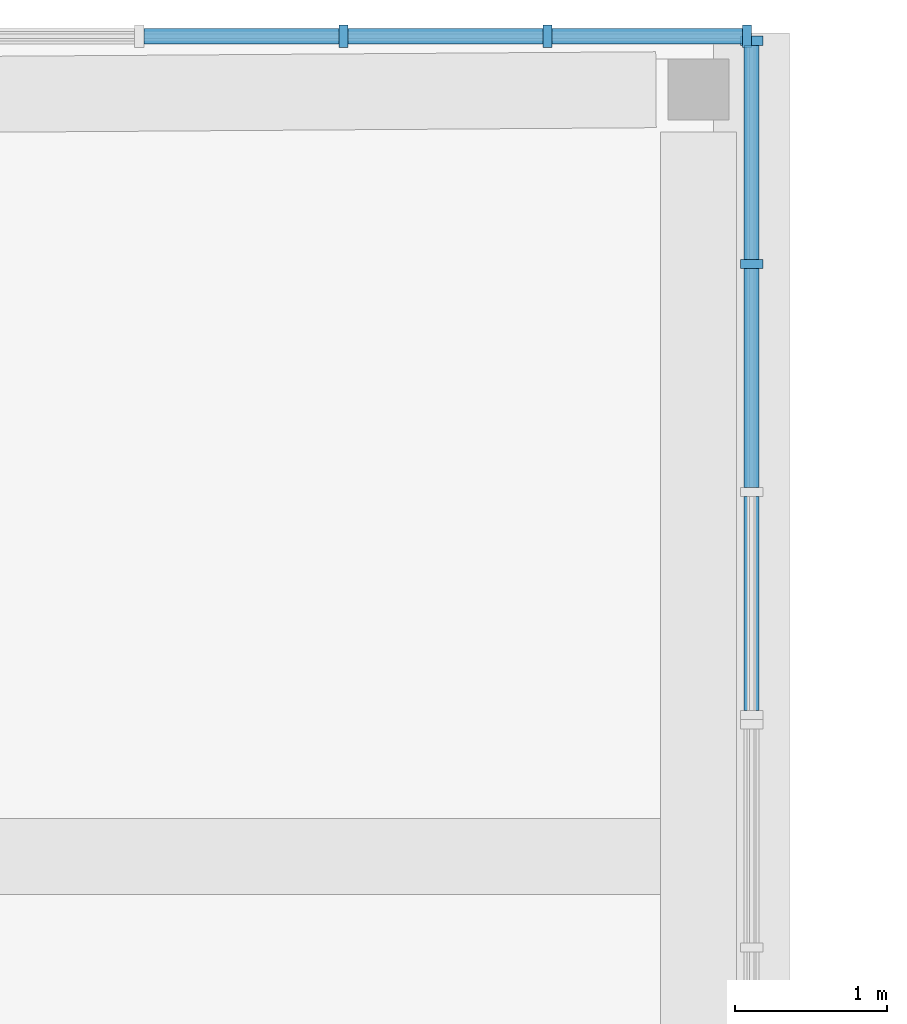
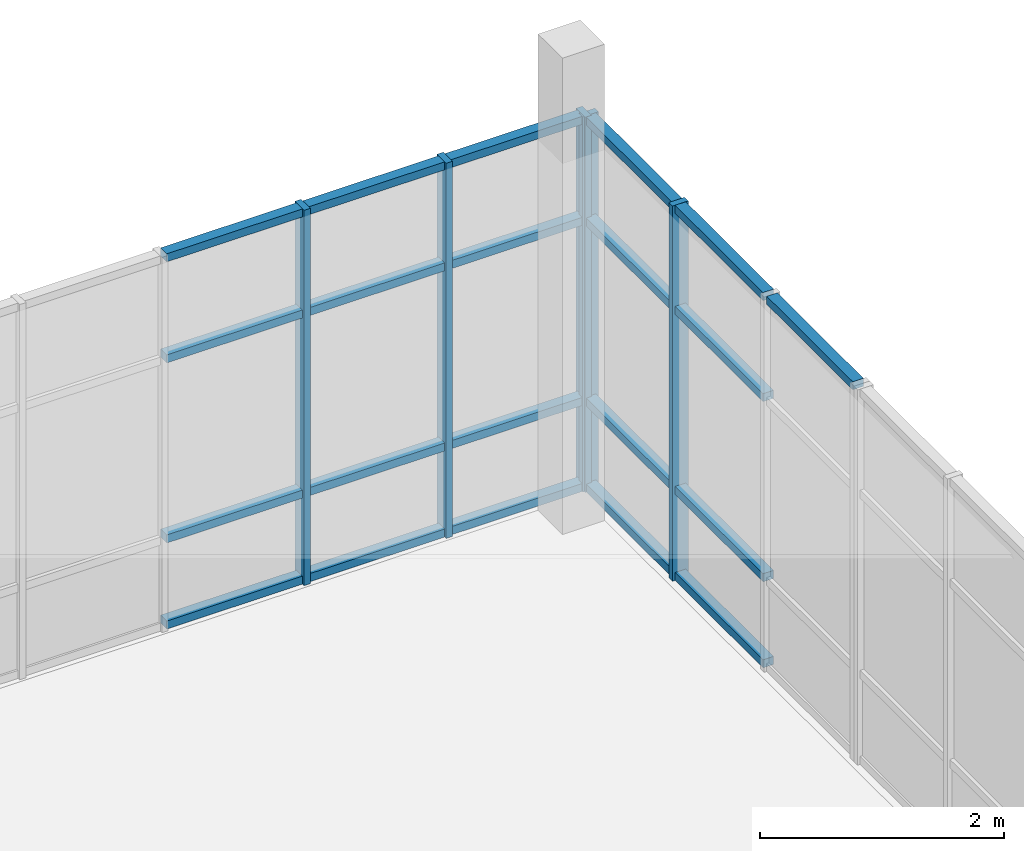
# One storey, part 34 of 103: 26 members, 2 elements without a shape of their own.
"""IFC4 building model written with IfcOpenShell, lengths in metres."""

from ifc_helpers import new_model, si_unit, direction, frame, origin, origin_2d, place, context, subcontext, project, spatial, rectangle, extrude, material, layer, layer_set, material_profile, profile_set, type_object, element, aggregate, save


model = new_model("IFC4")

# Units and contexts
model_context = context("Model", 3, precision=1e-05, world=origin(), true_north=direction((0.0, 1.0)))
body_context = subcontext(model_context, "Body", "Model", "MODEL_VIEW")
ifc_project = project(units=[si_unit("LENGTHUNIT", "METRE"), si_unit("AREAUNIT", "SQUARE_METRE"), si_unit("VOLUMEUNIT", "CUBIC_METRE"), si_unit("PLANEANGLEUNIT", "RADIAN"), si_unit("MASSUNIT", "GRAM", prefix="KILO")], contexts=[model_context])

# Site, building, storey
site_placement = place(None, origin())
site = spatial("IfcSite", under=ifc_project, at=site_placement, CompositionType="ELEMENT")
building_placement = place(site_placement, origin())
building = spatial("IfcBuilding", under=site, at=building_placement, Name="Larchfold Concert Hall", CompositionType="ELEMENT")
storey_placement = place(building_placement, frame((0.0, 0.0, 9.60009765625)))
storey = spatial("IfcBuildingStorey", under=building, at=storey_placement, Name="L02", CompositionType="ELEMENT", Elevation=9.60009765625)

# Curtain wall, members
ifc_material_1 = material(Name="Anodised graphite aluminium curtain wall", Category="aluminium")
ifc_layer = layer(ifc_material_1, 0.14990234375)
ifc_layer_set = layer_set([ifc_layer], Name="Anodised graphite aluminium curtain wall")
curtain_wall_type = type_object("IfcCurtainWallType", Name="Curtain wall WG", PredefinedType="NOTDEFINED", material=ifc_layer_set)
curtain_wall_1_placement = place(storey_placement, origin())
curtain_wall_1 = element("IfcCurtainWall", 1, at=curtain_wall_1_placement, inside=storey, type_object=curtain_wall_type, Name="Curtain wall CW0249", PredefinedType="NOTDEFINED")
ifc_material_2 = material(Name="Anodised graphite aluminium mullion", Category="aluminium")
ifc_material_profile_1 = material_profile(ifc_material_2, rectangle(XDim=0.14990234375, YDim=0.06005859375, at=origin_2d()))
ifc_profile_set_1 = profile_set([ifc_material_profile_1], Name="Anodised graphite aluminium mullion")
member_type_1 = type_object("IfcMemberType", Name="Aluminium mullion 60x150", PredefinedType="MULLION", material=ifc_profile_set_1)
member_1_placement = place(storey_placement, frame((76.199951171875, 130.5, 0.0), z_axis=(0.0, 0.0, 1.0), x_axis=(-1.0, 0.0, 0.0)))
member_1 = element("IfcMember", 2, at=member_1_placement, type_object=member_type_1, Name="CW0249 mullion 3", PredefinedType="MULLION", context=body_context, shape_type="SweptSolid", body=[
    extrude(rectangle(XDim=0.14990234375, YDim=0.06005859375, at=origin_2d()), origin(), (0.0, 0.0, 1.0), 3.75),
])
member_2_placement = place(storey_placement, frame((76.199951171875, 131.969970703125, 0.0), z_axis=(0.0, 0.0, 1.0), x_axis=(-1.0, 0.0, 0.0)))
member_2 = element("IfcMember", 3, at=member_2_placement, type_object=member_type_1, Name="CW0249 mullion 4", PredefinedType="MULLION", context=body_context, shape_type="SweptSolid", body=[
    extrude(rectangle(XDim=0.14990234375, YDim=0.06005859375, at=origin_2d()), origin(), (0.0, 0.0, 1.0), 3.75),
])

curtain_wall_2_placement = place(storey_placement, origin())
curtain_wall_2 = element("IfcCurtainWall", 4, at=curtain_wall_2_placement, inside=storey, type_object=curtain_wall_type, Name="Curtain wall CW0250", PredefinedType="NOTDEFINED")
member_3_placement = place(storey_placement, frame((76.169921875, 132.0, 0.0), z_axis=(0.0, 0.0, 1.0), x_axis=(0.0, -1.0, 0.0)))
member_3 = element("IfcMember", 5, at=member_3_placement, type_object=member_type_1, Name="CW0250 mullion 1", PredefinedType="MULLION", context=body_context, shape_type="SweptSolid", body=[
    extrude(rectangle(XDim=0.14990234375, YDim=0.06005859375, at=origin_2d()), origin(), (0.0, 0.0, 1.0), 3.75),
])
member_4_placement = place(storey_placement, frame((74.85595703125, 132.0, 0.0), z_axis=(0.0, 0.0, 1.0), x_axis=(0.0, -1.0, 0.0)))
member_4 = element("IfcMember", 6, at=member_4_placement, type_object=member_type_1, Name="CW0250 mullion 2", PredefinedType="MULLION", context=body_context, shape_type="SweptSolid", body=[
    extrude(rectangle(XDim=0.14990234375, YDim=0.06005859375, at=origin_2d()), origin(), (0.0, 0.0, 1.0), 3.75),
])
member_5_placement = place(storey_placement, frame((73.511962890625, 132.0, 0.0), z_axis=(0.0, 0.0, 1.0), x_axis=(0.0, -1.0, 0.0)))
member_5 = element("IfcMember", 7, at=member_5_placement, type_object=member_type_1, Name="CW0250 mullion 3", PredefinedType="MULLION", context=body_context, shape_type="SweptSolid", body=[
    extrude(rectangle(XDim=0.14990234375, YDim=0.06005859375, at=origin_2d()), origin(), (0.0, 0.0, 1.0), 3.75),
])

# Member
ifc_material_3 = material(Name="Anodised graphite aluminium transom", Category="aluminium")
ifc_material_profile_2 = material_profile(ifc_material_3, rectangle(XDim=0.10009765625, YDim=0.080078125, at=origin_2d()))
ifc_profile_set_2 = profile_set([ifc_material_profile_2], Name="Anodised graphite aluminium transom")
member_type_2 = type_object("IfcMemberType", Name="Aluminium transom 80x100", PredefinedType="USERDEFINED", material=ifc_profile_set_2)
member_6_placement = place(storey_placement, frame((76.199951171875, 127.56005859375, 3.7099609375), z_axis=(0.0, 1.0, 0.0), x_axis=(-1.0, 0.0, 0.0)))
member_6 = element("IfcMember", 8, at=member_6_placement, type_object=member_type_2, Name="CW0249 transom 1.4", ObjectType="TRANSOM", PredefinedType="USERDEFINED", context=body_context, shape_type="SweptSolid", body=[
    extrude(rectangle(XDim=0.10009765625, YDim=0.080078125, at=origin_2d()), origin(), (0.0, 0.0, 1.0), 1.409912109375),
])

member_7_placement = place(storey_placement, frame((76.199951171875, 129.030029296875, 0.0400390625), z_axis=(0.0, 1.0, 0.0), x_axis=(-1.0, 0.0, 0.0)))
member_7 = element("IfcMember", 9, at=member_7_placement, type_object=member_type_2, Name="CW0249 transom 2.1", ObjectType="TRANSOM", PredefinedType="USERDEFINED", context=body_context, shape_type="SweptSolid", body=[
    extrude(rectangle(XDim=0.10009765625, YDim=0.080078125, at=origin_2d()), origin(), (0.0, 0.0, 1.0), 1.43994140625),
])

member_8_placement = place(storey_placement, frame((76.199951171875, 129.030029296875, 0.89990234375), z_axis=(0.0, 1.0, 0.0), x_axis=(-1.0, 0.0, 0.0)))
member_8 = element("IfcMember", 10, at=member_8_placement, type_object=member_type_2, Name="CW0249 transom 2.2", ObjectType="TRANSOM", PredefinedType="USERDEFINED", context=body_context, shape_type="SweptSolid", body=[
    extrude(rectangle(XDim=0.10009765625, YDim=0.080078125, at=origin_2d()), origin(), (0.0, 0.0, 1.0), 1.43994140625),
])

member_9_placement = place(storey_placement, frame((76.199951171875, 129.030029296875, 2.699951171875), z_axis=(0.0, 1.0, 0.0), x_axis=(-1.0, 0.0, 0.0)))
member_9 = element("IfcMember", 11, at=member_9_placement, type_object=member_type_2, Name="CW0249 transom 2.3", ObjectType="TRANSOM", PredefinedType="USERDEFINED", context=body_context, shape_type="SweptSolid", body=[
    extrude(rectangle(XDim=0.10009765625, YDim=0.080078125, at=origin_2d()), origin(), (0.0, 0.0, 1.0), 1.43994140625),
])

member_10_placement = place(storey_placement, frame((76.199951171875, 129.030029296875, 3.7099609375), z_axis=(0.0, 1.0, 0.0), x_axis=(-1.0, 0.0, 0.0)))
member_10 = element("IfcMember", 12, at=member_10_placement, type_object=member_type_2, Name="CW0249 transom 2.4", ObjectType="TRANSOM", PredefinedType="USERDEFINED", context=body_context, shape_type="SweptSolid", body=[
    extrude(rectangle(XDim=0.10009765625, YDim=0.080078125, at=origin_2d()), origin(), (0.0, 0.0, 1.0), 1.43994140625),
])

member_11_placement = place(storey_placement, frame((76.199951171875, 130.530029296875, 0.0400390625), z_axis=(0.0, 1.0, 0.0), x_axis=(-1.0, 0.0, 0.0)))
member_11 = element("IfcMember", 13, at=member_11_placement, type_object=member_type_2, Name="CW0249 transom 3.1", ObjectType="TRANSOM", PredefinedType="USERDEFINED", context=body_context, shape_type="SweptSolid", body=[
    extrude(rectangle(XDim=0.10009765625, YDim=0.080078125, at=origin_2d()), origin(), (0.0, 0.0, 1.0), 1.409912109375),
])

member_12_placement = place(storey_placement, frame((76.199951171875, 130.530029296875, 0.89990234375), z_axis=(0.0, 1.0, 0.0), x_axis=(-1.0, 0.0, 0.0)))
member_12 = element("IfcMember", 14, at=member_12_placement, type_object=member_type_2, Name="CW0249 transom 3.2", ObjectType="TRANSOM", PredefinedType="USERDEFINED", context=body_context, shape_type="SweptSolid", body=[
    extrude(rectangle(XDim=0.10009765625, YDim=0.080078125, at=origin_2d()), origin(), (0.0, 0.0, 1.0), 1.409912109375),
])

member_13_placement = place(storey_placement, frame((76.199951171875, 130.530029296875, 2.699951171875), z_axis=(0.0, 1.0, 0.0), x_axis=(-1.0, 0.0, 0.0)))
member_13 = element("IfcMember", 15, at=member_13_placement, type_object=member_type_2, Name="CW0249 transom 3.3", ObjectType="TRANSOM", PredefinedType="USERDEFINED", context=body_context, shape_type="SweptSolid", body=[
    extrude(rectangle(XDim=0.10009765625, YDim=0.080078125, at=origin_2d()), origin(), (0.0, 0.0, 1.0), 1.409912109375),
])

member_14_placement = place(storey_placement, frame((76.199951171875, 130.530029296875, 3.7099609375), z_axis=(0.0, 1.0, 0.0), x_axis=(-1.0, 0.0, 0.0)))
member_14 = element("IfcMember", 16, at=member_14_placement, type_object=member_type_2, Name="CW0249 transom 3.4", ObjectType="TRANSOM", PredefinedType="USERDEFINED", context=body_context, shape_type="SweptSolid", body=[
    extrude(rectangle(XDim=0.10009765625, YDim=0.080078125, at=origin_2d()), origin(), (0.0, 0.0, 1.0), 1.409912109375),
])

aggregate(curtain_wall_1, [member_1, member_2, member_6, member_7, member_8, member_9, member_10, member_11, member_12, member_13, member_14])

member_15_placement = place(storey_placement, frame((76.139892578125, 132.0, 0.0400390625), z_axis=(-1.0, 0.0, 0.0), x_axis=(0.0, -1.0, 0.0)))
member_15 = element("IfcMember", 17, at=member_15_placement, type_object=member_type_2, Name="CW0250 transom 1.1", ObjectType="TRANSOM", PredefinedType="USERDEFINED", context=body_context, shape_type="SweptSolid", body=[
    extrude(rectangle(XDim=0.10009765625, YDim=0.080078125, at=origin_2d()), origin(), (0.0, 0.0, 1.0), 1.25390625),
])

member_16_placement = place(storey_placement, frame((76.139892578125, 132.0, 0.89990234375), z_axis=(-1.0, 0.0, 0.0), x_axis=(0.0, -1.0, 0.0)))
member_16 = element("IfcMember", 18, at=member_16_placement, type_object=member_type_2, Name="CW0250 transom 1.2", ObjectType="TRANSOM", PredefinedType="USERDEFINED", context=body_context, shape_type="SweptSolid", body=[
    extrude(rectangle(XDim=0.10009765625, YDim=0.080078125, at=origin_2d()), origin(), (0.0, 0.0, 1.0), 1.25390625),
])

member_17_placement = place(storey_placement, frame((76.139892578125, 132.0, 2.699951171875), z_axis=(-1.0, 0.0, 0.0), x_axis=(0.0, -1.0, 0.0)))
member_17 = element("IfcMember", 19, at=member_17_placement, type_object=member_type_2, Name="CW0250 transom 1.3", ObjectType="TRANSOM", PredefinedType="USERDEFINED", context=body_context, shape_type="SweptSolid", body=[
    extrude(rectangle(XDim=0.10009765625, YDim=0.080078125, at=origin_2d()), origin(), (0.0, 0.0, 1.0), 1.25390625),
])

member_18_placement = place(storey_placement, frame((76.139892578125, 132.0, 3.7099609375), z_axis=(-1.0, 0.0, 0.0), x_axis=(0.0, -1.0, 0.0)))
member_18 = element("IfcMember", 20, at=member_18_placement, type_object=member_type_2, Name="CW0250 transom 1.4", ObjectType="TRANSOM", PredefinedType="USERDEFINED", context=body_context, shape_type="SweptSolid", body=[
    extrude(rectangle(XDim=0.10009765625, YDim=0.080078125, at=origin_2d()), origin(), (0.0, 0.0, 1.0), 1.25390625),
])

member_19_placement = place(storey_placement, frame((74.825927734375, 132.0, 0.0400390625), z_axis=(-1.0, 0.0, 0.0), x_axis=(0.0, -1.0, 0.0)))
member_19 = element("IfcMember", 21, at=member_19_placement, type_object=member_type_2, Name="CW0250 transom 2.1", ObjectType="TRANSOM", PredefinedType="USERDEFINED", context=body_context, shape_type="SweptSolid", body=[
    extrude(rectangle(XDim=0.10009765625, YDim=0.080078125, at=origin_2d()), origin(), (0.0, 0.0, 1.0), 1.283935546875),
])

member_20_placement = place(storey_placement, frame((74.825927734375, 132.0, 0.89990234375), z_axis=(-1.0, 0.0, 0.0), x_axis=(0.0, -1.0, 0.0)))
member_20 = element("IfcMember", 22, at=member_20_placement, type_object=member_type_2, Name="CW0250 transom 2.2", ObjectType="TRANSOM", PredefinedType="USERDEFINED", context=body_context, shape_type="SweptSolid", body=[
    extrude(rectangle(XDim=0.10009765625, YDim=0.080078125, at=origin_2d()), origin(), (0.0, 0.0, 1.0), 1.283935546875),
])

member_21_placement = place(storey_placement, frame((74.825927734375, 132.0, 2.699951171875), z_axis=(-1.0, 0.0, 0.0), x_axis=(0.0, -1.0, 0.0)))
member_21 = element("IfcMember", 23, at=member_21_placement, type_object=member_type_2, Name="CW0250 transom 2.3", ObjectType="TRANSOM", PredefinedType="USERDEFINED", context=body_context, shape_type="SweptSolid", body=[
    extrude(rectangle(XDim=0.10009765625, YDim=0.080078125, at=origin_2d()), origin(), (0.0, 0.0, 1.0), 1.283935546875),
])

member_22_placement = place(storey_placement, frame((74.825927734375, 132.0, 3.7099609375), z_axis=(-1.0, 0.0, 0.0), x_axis=(0.0, -1.0, 0.0)))
member_22 = element("IfcMember", 24, at=member_22_placement, type_object=member_type_2, Name="CW0250 transom 2.4", ObjectType="TRANSOM", PredefinedType="USERDEFINED", context=body_context, shape_type="SweptSolid", body=[
    extrude(rectangle(XDim=0.10009765625, YDim=0.080078125, at=origin_2d()), origin(), (0.0, 0.0, 1.0), 1.283935546875),
])

member_23_placement = place(storey_placement, frame((73.48193359375, 132.0, 0.0400390625), z_axis=(-1.0, 0.0, 0.0), x_axis=(0.0, -1.0, 0.0)))
member_23 = element("IfcMember", 25, at=member_23_placement, type_object=member_type_2, Name="CW0250 transom 3.1", ObjectType="TRANSOM", PredefinedType="USERDEFINED", context=body_context, shape_type="SweptSolid", body=[
    extrude(rectangle(XDim=0.10009765625, YDim=0.080078125, at=origin_2d()), origin(), (0.0, 0.0, 1.0), 1.283935546875),
])

member_24_placement = place(storey_placement, frame((73.48193359375, 132.0, 0.89990234375), z_axis=(-1.0, 0.0, 0.0), x_axis=(0.0, -1.0, 0.0)))
member_24 = element("IfcMember", 26, at=member_24_placement, type_object=member_type_2, Name="CW0250 transom 3.2", ObjectType="TRANSOM", PredefinedType="USERDEFINED", context=body_context, shape_type="SweptSolid", body=[
    extrude(rectangle(XDim=0.10009765625, YDim=0.080078125, at=origin_2d()), origin(), (0.0, 0.0, 1.0), 1.283935546875),
])

member_25_placement = place(storey_placement, frame((73.48193359375, 132.0, 2.699951171875), z_axis=(-1.0, 0.0, 0.0), x_axis=(0.0, -1.0, 0.0)))
member_25 = element("IfcMember", 27, at=member_25_placement, type_object=member_type_2, Name="CW0250 transom 3.3", ObjectType="TRANSOM", PredefinedType="USERDEFINED", context=body_context, shape_type="SweptSolid", body=[
    extrude(rectangle(XDim=0.10009765625, YDim=0.080078125, at=origin_2d()), origin(), (0.0, 0.0, 1.0), 1.283935546875),
])

member_26_placement = place(storey_placement, frame((73.48193359375, 132.0, 3.7099609375), z_axis=(-1.0, 0.0, 0.0), x_axis=(0.0, -1.0, 0.0)))
member_26 = element("IfcMember", 28, at=member_26_placement, type_object=member_type_2, Name="CW0250 transom 3.4", ObjectType="TRANSOM", PredefinedType="USERDEFINED", context=body_context, shape_type="SweptSolid", body=[
    extrude(rectangle(XDim=0.10009765625, YDim=0.080078125, at=origin_2d()), origin(), (0.0, 0.0, 1.0), 1.283935546875),
])

aggregate(curtain_wall_2, [member_3, member_4, member_5, member_15, member_16, member_17, member_18, member_19, member_20, member_21, member_22, member_23, member_24, member_25, member_26])

save(model, "model.ifc")
